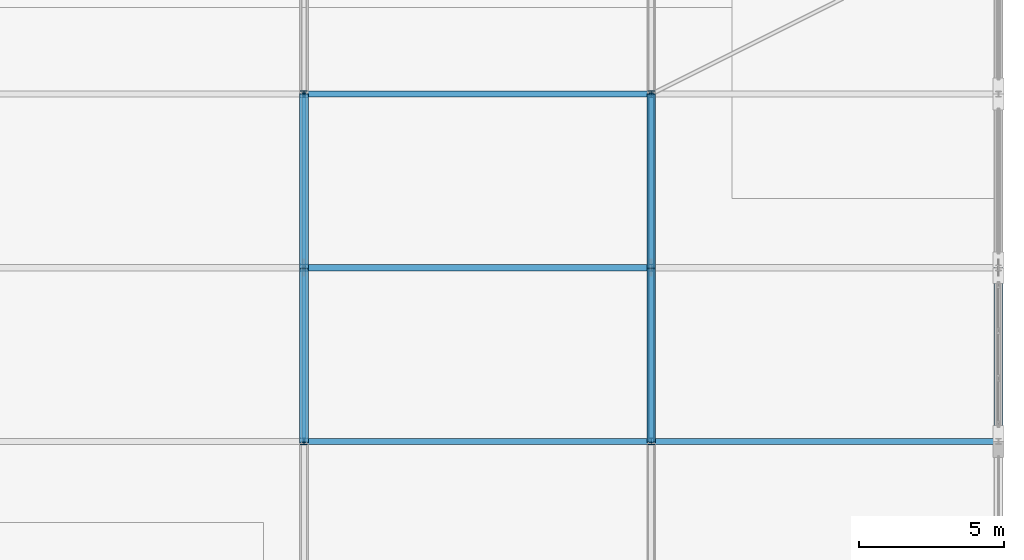
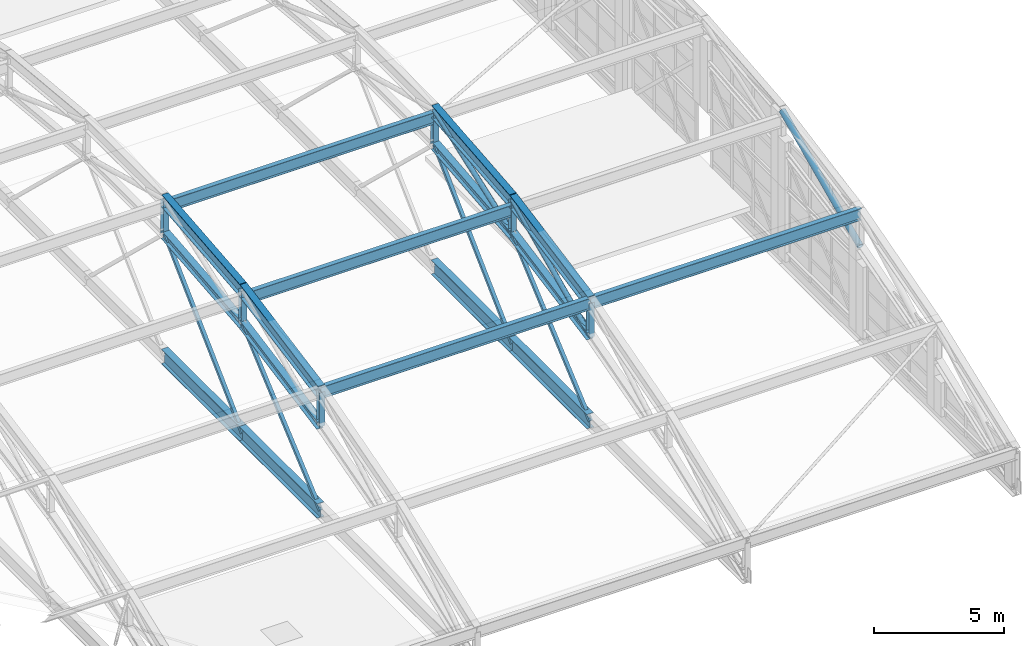
# One storey, part 132 of 204: 29 members.
"""IFC4 building model written with IfcOpenShell, lengths in metres."""

from ifc_helpers import new_model, si_unit, direction, frame, origin, origin_2d, place, context, subcontext, project, spatial, hollow_rectangle, hollow_circle, i_section, extrude, material, material_profile, profile_set, type_object, element, save


model = new_model("IFC4")

# Units and contexts
model_context = context("Model", 3, precision=1e-05, world=origin(), true_north=direction((0.0, 1.0)))
body_context = subcontext(model_context, "Body", "Model", "MODEL_VIEW")
ifc_project = project(units=[si_unit("LENGTHUNIT", "METRE"), si_unit("AREAUNIT", "SQUARE_METRE"), si_unit("VOLUMEUNIT", "CUBIC_METRE"), si_unit("PLANEANGLEUNIT", "RADIAN"), si_unit("MASSUNIT", "GRAM", prefix="KILO")], contexts=[model_context])

# Site, building, storey
site_placement = place(None, origin())
site = spatial("IfcSite", under=ifc_project, at=site_placement, CompositionType="ELEMENT")
building_placement = place(site_placement, origin())
building = spatial("IfcBuilding", under=site, at=building_placement, Name="Zilviju Railside Exhibition Hall", CompositionType="ELEMENT")
storey_placement = place(building_placement, frame((0.0, 0.0, 21.0)))
storey = spatial("IfcBuildingStorey", under=building, at=storey_placement, Name="RF", CompositionType="ELEMENT", Elevation=21.0)

# Members
ifc_material_1 = material(Name="Steel S355J2", Category="steel")
ifc_material_profile_1 = material_profile(ifc_material_1, hollow_circle(Radius=0.109619140625, WallThickness=0.010009765625, at=origin_2d()), Name="CHS 219.1x10.0")
ifc_profile_set_1 = profile_set([ifc_material_profile_1], Name="Steel S355J2")
member_type_1 = type_object("IfcMemberType", Name="TR-BR-CHS219", PredefinedType="BRACE", material=ifc_profile_set_1)
member_1_placement = place(storey_placement, frame((204.0, 96.0, 0.409912109375), z_axis=(0.0, 0.909316915895, 0.416104249518), x_axis=(-1.0, 0.0, 0.0)))
element("IfcMember", 1, at=member_1_placement, inside=storey, type_object=member_type_1, Name="V2 Parabolic Arch Web Diagonal X=204.0 P3", PredefinedType="BRACE", context=body_context, shape_type="SweptSolid", body=[
    extrude(hollow_circle(Radius=0.109619140625, WallThickness=0.010009765625, at=origin_2d()), origin(), (0.0, 0.0, 1.0), 6.598388671875),
])
member_2_placement = place(storey_placement, frame((204.0, 102.0, 1.5556640625), z_axis=(0.0, 0.940243888255, 0.340501733621), x_axis=(-1.0, 0.0, 0.0)))
element("IfcMember", 2, at=member_2_placement, inside=storey, type_object=member_type_1, Name="V2 Parabolic Arch Web Diagonal X=204.0 P4", PredefinedType="BRACE", context=body_context, shape_type="SweptSolid", body=[
    extrude(hollow_circle(Radius=0.109619140625, WallThickness=0.010009765625, at=origin_2d()), origin(), (0.0, 0.0, 1.0), 6.38134765625),
])
ifc_material_2 = material(Name="Steel S355ML", Category="steel")
ifc_material_profile_2 = material_profile(ifc_material_2, hollow_circle(Radius=0.136474609375, WallThickness=0.012451171875, at=origin_2d()), Name="CHS 273.0x12.5")
ifc_profile_set_2 = profile_set([ifc_material_profile_2], Name="Steel S355ML")
member_type_2 = type_object("IfcMemberType", Name="TR-BR-CHS273", PredefinedType="BRACE", material=ifc_profile_set_2)
member_3_placement = place(storey_placement, frame((216.0, 96.0, 0.409912109375), z_axis=(0.0, 0.909316915895, 0.416104249518), x_axis=(-1.0, 0.0, 0.0)))
element("IfcMember", 3, at=member_3_placement, inside=storey, type_object=member_type_2, Name="V2 Parabolic Arch Web Diagonal X=216.0 P3", PredefinedType="BRACE", context=body_context, shape_type="SweptSolid", body=[
    extrude(hollow_circle(Radius=0.136474609375, WallThickness=0.012451171875, at=origin_2d()), origin(), (0.0, 0.0, 1.0), 6.598388671875),
])
ifc_material_profile_3 = material_profile(ifc_material_1, i_section(OverallWidth=0.300048828125, OverallDepth=0.39990234375, WebThickness=0.013427734375, FlangeThickness=0.02392578125, at=origin_2d()), Name="HEB 400")
ifc_profile_set_3 = profile_set([ifc_material_profile_3], Name="Steel S355J2")
member_type_3 = type_object("IfcMemberType", Name="TR-CH-HEB400", PredefinedType="CHORD", material=ifc_profile_set_3)
member_4_placement = place(storey_placement, frame((192.0, 96.0, 0.409912109375), z_axis=(0.0, 0.98225135267, 0.187569400964), x_axis=(-1.0, 0.0, 0.0)))
element("IfcMember", 4, at=member_4_placement, inside=storey, type_object=member_type_3, Name="V2 Parabolic Arch Bottom Chord X=192.0 P3", PredefinedType="CHORD", context=body_context, shape_type="SweptSolid", body=[
    extrude(i_section(OverallWidth=0.300048828125, OverallDepth=0.39990234375, WebThickness=0.013427734375, FlangeThickness=0.02392578125, at=origin_2d()), origin(), (0.0, 0.0, 1.0), 6.1083984375),
])
member_5_placement = place(storey_placement, frame((192.0, 102.0, 1.5556640625), z_axis=(0.0, 0.995474695123, 0.095027003367), x_axis=(-1.0, 0.0, 0.0)))
element("IfcMember", 5, at=member_5_placement, inside=storey, type_object=member_type_3, Name="V2 Parabolic Arch Bottom Chord X=192.0 P4", PredefinedType="CHORD", context=body_context, shape_type="SweptSolid", body=[
    extrude(i_section(OverallWidth=0.300048828125, OverallDepth=0.39990234375, WebThickness=0.013427734375, FlangeThickness=0.02392578125, at=origin_2d()), origin(), (0.0, 0.0, 1.0), 6.02734375),
])
member_6_placement = place(storey_placement, frame((204.0, 96.0, 0.409912109375), z_axis=(0.0, 0.98225135267, 0.187569400964), x_axis=(-1.0, 0.0, 0.0)))
element("IfcMember", 6, at=member_6_placement, inside=storey, type_object=member_type_3, Name="V2 Parabolic Arch Bottom Chord X=204.0 P3", PredefinedType="CHORD", context=body_context, shape_type="SweptSolid", body=[
    extrude(i_section(OverallWidth=0.300048828125, OverallDepth=0.39990234375, WebThickness=0.013427734375, FlangeThickness=0.02392578125, at=origin_2d()), origin(), (0.0, 0.0, 1.0), 6.1083984375),
])
member_7_placement = place(storey_placement, frame((204.0, 102.0, 1.5556640625), z_axis=(0.0, 0.995474695123, 0.095027003367), x_axis=(-1.0, 0.0, 0.0)))
element("IfcMember", 7, at=member_7_placement, inside=storey, type_object=member_type_3, Name="V2 Parabolic Arch Bottom Chord X=204.0 P4", PredefinedType="CHORD", context=body_context, shape_type="SweptSolid", body=[
    extrude(i_section(OverallWidth=0.300048828125, OverallDepth=0.39990234375, WebThickness=0.013427734375, FlangeThickness=0.02392578125, at=origin_2d()), origin(), (0.0, 0.0, 1.0), 6.02734375),
])
ifc_material_profile_4 = material_profile(ifc_material_1, i_section(OverallWidth=0.300048828125, OverallDepth=0.60009765625, WebThickness=0.015380859375, FlangeThickness=0.030029296875, at=origin_2d()), Name="HEB 600")
ifc_profile_set_4 = profile_set([ifc_material_profile_4], Name="Steel S355J2")
member_type_4 = type_object("IfcMemberType", Name="TR-CH-HEB600", PredefinedType="CHORD", material=ifc_profile_set_4)
member_8_placement = place(storey_placement, frame((192.0, 96.0, 2.009765625), z_axis=(0.0, 0.98225135267, 0.187569400964), x_axis=(-1.0, 0.0, 0.0)))
element("IfcMember", 8, at=member_8_placement, inside=storey, type_object=member_type_4, Name="V2 Parabolic Arch Top Chord X=192.0 P3", PredefinedType="CHORD", context=body_context, shape_type="SweptSolid", body=[
    extrude(i_section(OverallWidth=0.300048828125, OverallDepth=0.60009765625, WebThickness=0.015380859375, FlangeThickness=0.030029296875, at=origin_2d()), origin(), (0.0, 0.0, 1.0), 6.1083984375),
])
member_9_placement = place(storey_placement, frame((192.0, 102.0, 3.155517578125), z_axis=(0.0, 0.995470862587, 0.095067143331), x_axis=(-1.0, 0.0, 0.0)))
element("IfcMember", 9, at=member_9_placement, inside=storey, type_object=member_type_4, Name="V2 Parabolic Arch Top Chord X=192.0 P4", PredefinedType="CHORD", context=body_context, shape_type="SweptSolid", body=[
    extrude(i_section(OverallWidth=0.300048828125, OverallDepth=0.60009765625, WebThickness=0.015380859375, FlangeThickness=0.030029296875, at=origin_2d()), origin(), (0.0, 0.0, 1.0), 6.02734375),
])
member_10_placement = place(storey_placement, frame((204.0, 96.0, 2.009765625), z_axis=(0.0, 0.98225135267, 0.187569400964), x_axis=(-1.0, 0.0, 0.0)))
element("IfcMember", 10, at=member_10_placement, inside=storey, type_object=member_type_4, Name="V2 Parabolic Arch Top Chord X=204.0 P3", PredefinedType="CHORD", context=body_context, shape_type="SweptSolid", body=[
    extrude(i_section(OverallWidth=0.300048828125, OverallDepth=0.60009765625, WebThickness=0.015380859375, FlangeThickness=0.030029296875, at=origin_2d()), origin(), (0.0, 0.0, 1.0), 6.1083984375),
])
member_11_placement = place(storey_placement, frame((204.0, 102.0, 3.155517578125), z_axis=(0.0, 0.995470862587, 0.095067143331), x_axis=(-1.0, 0.0, 0.0)))
element("IfcMember", 11, at=member_11_placement, inside=storey, type_object=member_type_4, Name="V2 Parabolic Arch Top Chord X=204.0 P4", PredefinedType="CHORD", context=body_context, shape_type="SweptSolid", body=[
    extrude(i_section(OverallWidth=0.300048828125, OverallDepth=0.60009765625, WebThickness=0.015380859375, FlangeThickness=0.030029296875, at=origin_2d()), origin(), (0.0, 0.0, 1.0), 6.02734375),
])
ifc_material_profile_5 = material_profile(ifc_material_1, i_section(OverallWidth=0.239990234375, OverallDepth=0.22998046875, WebThickness=0.007568359375, FlangeThickness=0.011962890625, at=origin_2d()), Name="HEA 240")
ifc_profile_set_5 = profile_set([ifc_material_profile_5], Name="Steel S355J2")
member_type_5 = type_object("IfcMemberType", Name="TR-POST-HEA240", PredefinedType="POST", material=ifc_profile_set_5)
for number, where, z_axis, x_axis, name in (
    (12, (192.0, 96.0, 0.409912109375), (0.0, 0.0, 1.0), (1.0, 0.0, 0.0), "V2 Parabolic Arch Web Post X=192.0 N2"),
    (13, (192.0, 102.0, 1.5556640625), (0.0, 0.0, 1.0), (1.0, 0.0, 0.0), "V2 Parabolic Arch Web Post X=192.0 N3"),
):
    element("IfcMember", number, at=place(storey_placement, frame(where, z_axis=z_axis, x_axis=x_axis)), inside=storey, type_object=member_type_5, Name=name, PredefinedType="POST", context=body_context, shape_type="SweptSolid", body=[
        extrude(i_section(OverallWidth=0.239990234375, OverallDepth=0.22998046875, WebThickness=0.007568359375, FlangeThickness=0.011962890625, at=origin_2d()), origin(), (0.0, 0.0, 1.0), 1.599853515625),
    ])
member_12_placement = place(storey_placement, frame((192.0, 108.0, 2.12841796875), z_axis=(0.0, 0.0, 1.0), x_axis=(1.0, 0.0, 0.0)))
element("IfcMember", 14, at=member_12_placement, inside=storey, type_object=member_type_5, Name="V2 Parabolic Arch Web Post X=192.0 N4", PredefinedType="POST", context=body_context, shape_type="SweptSolid", body=[
    extrude(i_section(OverallWidth=0.239990234375, OverallDepth=0.22998046875, WebThickness=0.007568359375, FlangeThickness=0.011962890625, at=origin_2d()), origin(), (0.0, 0.0, 1.0), 1.60009765625),
])
for number, where, z_axis, x_axis, name in (
    (15, (204.0, 96.0, 0.409912109375), (0.0, 0.0, 1.0), (1.0, 0.0, 0.0), "V2 Parabolic Arch Web Post X=204.0 N2"),
    (16, (204.0, 102.0, 1.5556640625), (0.0, 0.0, 1.0), (1.0, 0.0, 0.0), "V2 Parabolic Arch Web Post X=204.0 N3"),
):
    element("IfcMember", number, at=place(storey_placement, frame(where, z_axis=z_axis, x_axis=x_axis)), inside=storey, type_object=member_type_5, Name=name, PredefinedType="POST", context=body_context, shape_type="SweptSolid", body=[
        extrude(i_section(OverallWidth=0.239990234375, OverallDepth=0.22998046875, WebThickness=0.007568359375, FlangeThickness=0.011962890625, at=origin_2d()), origin(), (0.0, 0.0, 1.0), 1.599853515625),
    ])
member_13_placement = place(storey_placement, frame((204.0, 108.0, 2.12841796875), z_axis=(0.0, 0.0, 1.0), x_axis=(1.0, 0.0, 0.0)))
element("IfcMember", 17, at=member_13_placement, inside=storey, type_object=member_type_5, Name="V2 Parabolic Arch Web Post X=204.0 N4", PredefinedType="POST", context=body_context, shape_type="SweptSolid", body=[
    extrude(i_section(OverallWidth=0.239990234375, OverallDepth=0.22998046875, WebThickness=0.007568359375, FlangeThickness=0.011962890625, at=origin_2d()), origin(), (0.0, 0.0, 1.0), 1.60009765625),
])
ifc_material_profile_6 = material_profile(ifc_material_1, hollow_rectangle(XDim=0.14990234375, YDim=0.14990234375, WallThickness=0.008056640625, at=origin_2d()), Name="SHS 150x150x8.0")
ifc_profile_set_6 = profile_set([ifc_material_profile_6], Name="Steel S355J2")
member_type_6 = type_object("IfcMemberType", Name="TR-POST-SHS150", PredefinedType="POST", material=ifc_profile_set_6)
member_14_placement = place(storey_placement, frame((192.0, 96.0, -3.60009765625), z_axis=(0.0, 0.758449992634, 0.651731239602), x_axis=(-1.0, 0.0, 0.0)))
element("IfcMember", 18, at=member_14_placement, inside=storey, type_object=member_type_6, Name="V2 Arch Tie Hanger X=192.0 N2", PredefinedType="POST", context=body_context, shape_type="SweptSolid", body=[
    extrude(hollow_rectangle(XDim=0.14990234375, YDim=0.14990234375, WallThickness=0.008056640625, at=origin_2d()), origin(), (0.0, 0.0, 1.0), 7.910888671875),
])
member_15_placement = place(storey_placement, frame((192.0, 102.0, -3.60009765625), z_axis=(0.0, 0.723280707221, 0.690554138763), x_axis=(-1.0, 0.0, 0.0)))
element("IfcMember", 19, at=member_15_placement, inside=storey, type_object=member_type_6, Name="V2 Arch Tie Hanger X=192.0 N3", PredefinedType="POST", context=body_context, shape_type="SweptSolid", body=[
    extrude(hollow_rectangle(XDim=0.14990234375, YDim=0.14990234375, WallThickness=0.008056640625, at=origin_2d()), origin(), (0.0, 0.0, 1.0), 8.295654296875),
])
member_16_placement = place(storey_placement, frame((204.0, 96.0, -3.60009765625), z_axis=(0.0, 0.758449992634, 0.651731239602), x_axis=(-1.0, 0.0, 0.0)))
element("IfcMember", 20, at=member_16_placement, inside=storey, type_object=member_type_6, Name="V2 Arch Tie Hanger X=204.0 N2", PredefinedType="POST", context=body_context, shape_type="SweptSolid", body=[
    extrude(hollow_rectangle(XDim=0.14990234375, YDim=0.14990234375, WallThickness=0.008056640625, at=origin_2d()), origin(), (0.0, 0.0, 1.0), 7.910888671875),
])
member_17_placement = place(storey_placement, frame((204.0, 102.0, -3.60009765625), z_axis=(0.0, 0.723280707221, 0.690554138763), x_axis=(-1.0, 0.0, 0.0)))
element("IfcMember", 21, at=member_17_placement, inside=storey, type_object=member_type_6, Name="V2 Arch Tie Hanger X=204.0 N3", PredefinedType="POST", context=body_context, shape_type="SweptSolid", body=[
    extrude(hollow_rectangle(XDim=0.14990234375, YDim=0.14990234375, WallThickness=0.008056640625, at=origin_2d()), origin(), (0.0, 0.0, 1.0), 8.295654296875),
])
ifc_material_profile_7 = material_profile(ifc_material_1, i_section(OverallWidth=0.2099609375, OverallDepth=0.550048828125, WebThickness=0.010986328125, FlangeThickness=0.01708984375, at=origin_2d()), Name="IPE 550")
ifc_profile_set_7 = profile_set([ifc_material_profile_7], Name="Steel S355J2")
member_type_7 = type_object("IfcMemberType", Name="TR-PUR-IPE550", PredefinedType="PURLIN", material=ifc_profile_set_7)
for number, where, z_axis, x_axis, name in (
    (22, (192.0, 96.0, 1.97509765625), (1.0, 0.0, 0.0), (0.0, 1.0, 0.0), "V2 Barrel Vault Roof Purlin Y=96.0 (192.0..204.0)"),
    (23, (192.0, 102.0, 2.716796875), (1.0, 0.0, 0.0), (0.0, 1.0, 0.0), "V2 Barrel Vault Roof Purlin Y=102.0 (192.0..204.0)"),
    (24, (192.0, 108.0, 3.4326171875), (1.0, 0.0, 0.0), (0.0, 1.0, 0.0), "V2 Barrel Vault Roof Purlin Y=108.0 (192.0..204.0)"),
    (25, (204.0, 96.0, 1.97509765625), (1.0, 0.0, 0.0), (0.0, 1.0, 0.0), "V2 Barrel Vault Roof Purlin Y=96.0 (204.0..216.0)"),
):
    element("IfcMember", number, at=place(storey_placement, frame(where, z_axis=z_axis, x_axis=x_axis)), inside=storey, type_object=member_type_7, Name=name, PredefinedType="PURLIN", context=body_context, shape_type="SweptSolid", body=[
        extrude(i_section(OverallWidth=0.2099609375, OverallDepth=0.550048828125, WebThickness=0.010986328125, FlangeThickness=0.01708984375, at=origin_2d()), origin(), (0.0, 0.0, 1.0), 12.0),
    ])
ifc_material_profile_8 = material_profile(ifc_material_1, i_section(OverallWidth=0.300048828125, OverallDepth=0.699951171875, WebThickness=0.01708984375, FlangeThickness=0.031982421875, at=origin_2d()), Name="HEB 700")
ifc_profile_set_8 = profile_set([ifc_material_profile_8], Name="Steel S355J2")
member_type_8 = type_object("IfcMemberType", Name="TR-TIE-HEB700", PredefinedType="CHORD", material=ifc_profile_set_8)
for number, where, z_axis, x_axis, name in (
    (26, (192.0, 96.0, -3.60009765625), (0.0, 1.0, 0.0), (-1.0, 0.0, 0.0), "V2 Arch Tie Member X=192.0"),
    (27, (192.0, 102.0, -3.60009765625), (0.0, 1.0, 0.0), (-1.0, 0.0, 0.0), "V2 Arch Tie Member X=192.0"),
    (28, (204.0, 96.0, -3.60009765625), (0.0, 1.0, 0.0), (-1.0, 0.0, 0.0), "V2 Arch Tie Member X=204.0"),
    (29, (204.0, 102.0, -3.60009765625), (0.0, 1.0, 0.0), (-1.0, 0.0, 0.0), "V2 Arch Tie Member X=204.0"),
):
    element("IfcMember", number, at=place(storey_placement, frame(where, z_axis=z_axis, x_axis=x_axis)), inside=storey, type_object=member_type_8, Name=name, PredefinedType="CHORD", context=body_context, shape_type="SweptSolid", body=[
        extrude(i_section(OverallWidth=0.300048828125, OverallDepth=0.699951171875, WebThickness=0.01708984375, FlangeThickness=0.031982421875, at=origin_2d()), origin(), (0.0, 0.0, 1.0), 6.0),
    ])

save(model, "model.ifc")
